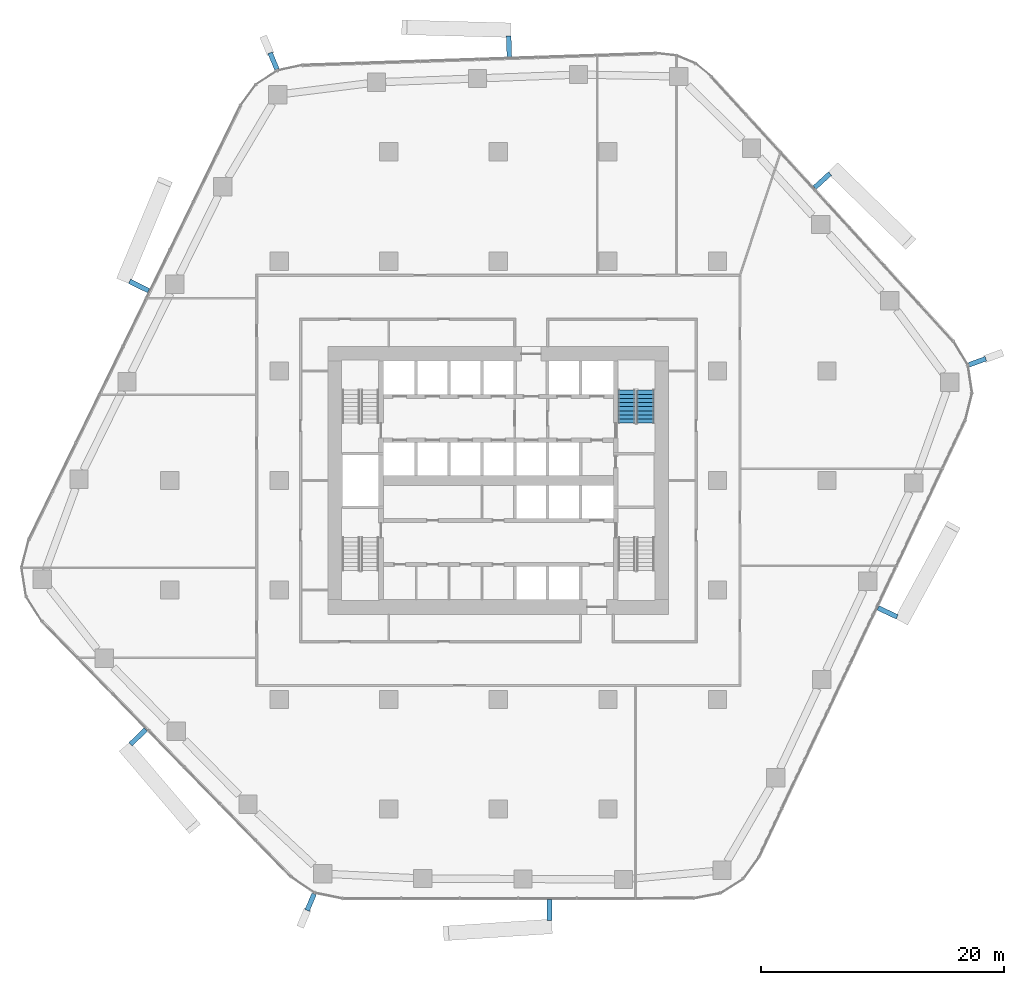
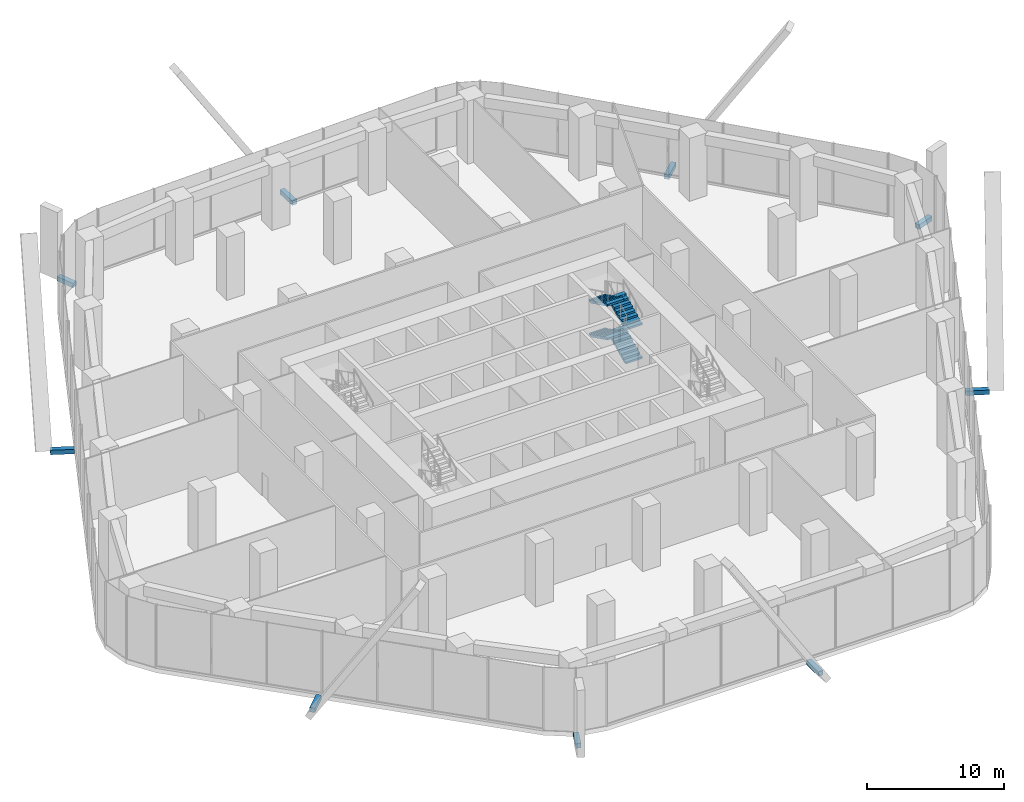
# One storey, part 14 of 19: 9 discrete accessories, 4 stair flights, 1 element without a shape of its own.
"""IFC4 building model written with IfcOpenShell, lengths in metres."""

from ifc_helpers import new_model, si_unit, direction, frame, origin, origin_2d, place, context, subcontext, project, spatial, polyline, rectangle, outline, extrude, material, layer, layer_set, type_object, element, aggregate, save


model = new_model("IFC4")

# Units and contexts
model_context = context("Model", 3, precision=1e-05, world=origin(), true_north=direction((0.0, 1.0)))
body_context = subcontext(model_context, "Body", "Model", "MODEL_VIEW")
ifc_project = project(units=[si_unit("LENGTHUNIT", "METRE"), si_unit("AREAUNIT", "SQUARE_METRE"), si_unit("VOLUMEUNIT", "CUBIC_METRE"), si_unit("PLANEANGLEUNIT", "RADIAN"), si_unit("MASSUNIT", "GRAM", prefix="KILO")], contexts=[model_context])

# Site, building, storey
site_placement = place(None, origin())
site = spatial("IfcSite", under=ifc_project, at=site_placement, CompositionType="ELEMENT")
building_placement = place(site_placement, origin())
building = spatial("IfcBuilding", under=site, at=building_placement, Name="Dongbaek Canopy Tower", CompositionType="ELEMENT")
storey_placement = place(building_placement, frame((0.0, 0.0, 38.0)))
storey = spatial("IfcBuildingStorey", under=building, at=storey_placement, Name="L05", CompositionType="ELEMENT", Elevation=38.0)

# Stair, stair flights
ifc_material_1 = material(Name="Concrete C40/50", Category="concrete")
stair_type = type_object("IfcStairType", Name="Core exit stair", PredefinedType="HALF_TURN_STAIR", material=ifc_material_1)
stair_placement = place(storey_placement, origin())
stair = element("IfcStair", 1, at=stair_placement, inside=storey, type_object=stair_type, Name="L05 exit stair A", PredefinedType="HALF_TURN_STAIR")
ifc_material_2 = material(Name="Concrete C40/50", Category="concrete")
ifc_layer = layer(ifc_material_2, 0.14990234375)
ifc_layer_set = layer_set([ifc_layer], Name="Core stair flight 150 waist")
stair_flight_type = type_object("IfcStairFlightType", Name="Core stair flight 150 waist", PredefinedType="STRAIGHT", material=ifc_layer_set)
stair_flight_1_placement = place(storey_placement, frame((12.10009765625, 4.699951171875, 0.0), z_axis=(0.0, 0.0, 1.0), x_axis=(0.0, 1.0, 0.0)))
stair_flight_1 = element("IfcStairFlight", 2, at=stair_flight_1_placement, type_object=stair_flight_type, Name="ST-A flight 1", NumberOfRisers=9, NumberOfTreads=8, PredefinedType="STRAIGHT", RiserHeight=0.166666667, TreadLength=0.34, context=body_context, shape_type="SweptSolid", body=[
    extrude(outline(polyline([(0.0, 0.0), (0.0, 0.166748046875), (0.340087890625, 0.166748046875), (0.340087890625, 0.333251953125), (0.679931640625, 0.333251953125), (0.679931640625, 0.5), (1.02001953125, 0.5), (1.02001953125, 0.666748046875), (1.360107421875, 0.666748046875), (1.360107421875, 0.833251953125), (1.699951171875, 0.833251953125), (1.699951171875, 1.0), (2.0400390625, 1.0), (2.0400390625, 1.166748046875), (2.3798828125, 1.166748046875), (2.3798828125, 1.333251953125), (2.719970703125, 1.333251953125), (2.719970703125, 1.5), (2.719970703125, 1.16650390625), (0.340576171875, 0.0), (0.0, 0.0)])), frame((0.0, 0.699951171875, 0.0), z_axis=(0.0, -1.0, 0.0), x_axis=(1.0, 0.0, 0.0)), (0.0, 0.0, 1.0), 1.39990234375),
])
stair_flight_2_placement = place(storey_placement, frame((10.550048828125, 7.419921875, 1.5), z_axis=(0.0, 0.0, 1.0), x_axis=(0.0, -1.0, 0.0)))
stair_flight_2 = element("IfcStairFlight", 3, at=stair_flight_2_placement, type_object=stair_flight_type, Name="ST-A flight 2", NumberOfRisers=9, NumberOfTreads=8, PredefinedType="STRAIGHT", RiserHeight=0.166666667, TreadLength=0.34, context=body_context, shape_type="SweptSolid", body=[
    extrude(outline(polyline([(0.0, 0.0), (0.0, 0.166748046875), (0.340087890625, 0.166748046875), (0.340087890625, 0.333251953125), (0.679931640625, 0.333251953125), (0.679931640625, 0.5), (1.02001953125, 0.5), (1.02001953125, 0.666748046875), (1.360107421875, 0.666748046875), (1.360107421875, 0.833251953125), (1.699951171875, 0.833251953125), (1.699951171875, 1.0), (2.0400390625, 1.0), (2.0400390625, 1.166748046875), (2.3798828125, 1.166748046875), (2.3798828125, 1.333251953125), (2.719970703125, 1.333251953125), (2.719970703125, 1.5), (2.719970703125, 1.16650390625), (0.340576171875, 0.0), (0.0, 0.0)])), frame((0.0, 0.699951171875, 0.0), z_axis=(0.0, -1.0, 0.0), x_axis=(1.0, 0.0, 0.0)), (0.0, 0.0, 1.0), 1.39990234375),
])
stair_flight_3_placement = place(storey_placement, frame((12.10009765625, 4.699951171875, 3.0), z_axis=(0.0, 0.0, 1.0), x_axis=(0.0, 1.0, 0.0)))
stair_flight_3 = element("IfcStairFlight", 4, at=stair_flight_3_placement, type_object=stair_flight_type, Name="ST-A flight 3", NumberOfRisers=9, NumberOfTreads=8, PredefinedType="STRAIGHT", RiserHeight=0.166666667, TreadLength=0.34, context=body_context, shape_type="SweptSolid", body=[
    extrude(outline(polyline([(0.0, 0.0), (0.0, 0.166748046875), (0.340087890625, 0.166748046875), (0.340087890625, 0.333251953125), (0.679931640625, 0.333251953125), (0.679931640625, 0.5), (1.02001953125, 0.5), (1.02001953125, 0.666748046875), (1.360107421875, 0.666748046875), (1.360107421875, 0.833251953125), (1.699951171875, 0.833251953125), (1.699951171875, 1.0), (2.0400390625, 1.0), (2.0400390625, 1.166748046875), (2.3798828125, 1.166748046875), (2.3798828125, 1.333251953125), (2.719970703125, 1.333251953125), (2.719970703125, 1.5), (2.719970703125, 1.16650390625), (0.340576171875, 0.0), (0.0, 0.0)])), frame((0.0, 0.699951171875, 0.0), z_axis=(0.0, -1.0, 0.0), x_axis=(1.0, 0.0, 0.0)), (0.0, 0.0, 1.0), 1.39990234375),
])
stair_flight_4_placement = place(storey_placement, frame((10.550048828125, 7.419921875, 4.5), z_axis=(0.0, 0.0, 1.0), x_axis=(0.0, -1.0, 0.0)))
stair_flight_4 = element("IfcStairFlight", 5, at=stair_flight_4_placement, type_object=stair_flight_type, Name="ST-A flight 4", NumberOfRisers=9, NumberOfTreads=8, PredefinedType="STRAIGHT", RiserHeight=0.166666667, TreadLength=0.34, context=body_context, shape_type="SweptSolid", body=[
    extrude(outline(polyline([(0.0, 0.0), (0.0, 0.166748046875), (0.340087890625, 0.166748046875), (0.340087890625, 0.333251953125), (0.679931640625, 0.333251953125), (0.679931640625, 0.5), (1.02001953125, 0.5), (1.02001953125, 0.666748046875), (1.360107421875, 0.666748046875), (1.360107421875, 0.833251953125), (1.699951171875, 0.833251953125), (1.699951171875, 1.0), (2.0400390625, 1.0), (2.0400390625, 1.166748046875), (2.3798828125, 1.166748046875), (2.3798828125, 1.333251953125), (2.719970703125, 1.333251953125), (2.719970703125, 1.5), (2.719970703125, 1.16650390625), (0.340576171875, 0.0), (0.0, 0.0)])), frame((0.0, 0.699951171875, 0.0), z_axis=(0.0, -1.0, 0.0), x_axis=(1.0, 0.0, 0.0)), (0.0, 0.0, 1.0), 1.39990234375),
])
aggregate(stair, [stair_flight_1, stair_flight_2, stair_flight_3, stair_flight_4])

# Discrete accessories
ifc_material_3 = material(Name="Galvanised steel S355 bracket", Category="steel")
discrete_accessory_type = type_object("IfcDiscreteAccessoryType", Name="Crease fin bracket BR3 400", PredefinedType="BRACKET", material=ifc_material_3)
discrete_accessory_1_placement = place(storey_placement, frame((31.98388671875, -10.843994140625, -0.39990234375), z_axis=(0.0, 0.0, 1.0), x_axis=(0.904233161267, -0.427039096647, 0.0)))
element("IfcDiscreteAccessory", 6, at=discrete_accessory_1_placement, inside=storey, type_object=discrete_accessory_type, Name="Crease fin bracket L05 F5", PredefinedType="BRACKET", context=body_context, shape_type="SweptSolid", body=[
    extrude(rectangle(XDim=1.742431640625, YDim=0.39990234375, at=origin_2d()), origin(), (0.0, 0.0, 1.0), 0.39990234375),
])
discrete_accessory_2_placement = place(storey_placement, frame((26.62255859375, 24.63671875, -0.39990234375), z_axis=(0.0, 0.0, 1.0), x_axis=(0.738141033581, 0.674646436694, 0.0)))
element("IfcDiscreteAccessory", 7, at=discrete_accessory_2_placement, inside=storey, type_object=discrete_accessory_type, Name="Crease fin bracket L05 F0", PredefinedType="BRACKET", context=body_context, shape_type="SweptSolid", body=[
    extrude(rectangle(XDim=1.713623046875, YDim=0.39990234375, at=origin_2d()), origin(), (0.0, 0.0, 1.0), 0.39990234375),
])
discrete_accessory_3_placement = place(storey_placement, frame((0.875, 35.662841796875, -0.39990234375), z_axis=(0.0, 0.0, 1.0), x_axis=(-0.033441253657, 0.99944068486, 0.0)))
element("IfcDiscreteAccessory", 8, at=discrete_accessory_3_placement, inside=storey, type_object=discrete_accessory_type, Name="Crease fin bracket L05 F1", PredefinedType="BRACKET", context=body_context, shape_type="SweptSolid", body=[
    extrude(rectangle(XDim=1.718994140625, YDim=0.39990234375, at=origin_2d()), origin(), (0.0, 0.0, 1.0), 0.39990234375),
])
discrete_accessory_4_placement = place(storey_placement, frame((-29.520263671875, 15.973876953125, -0.39990234375), z_axis=(0.0, 0.0, 1.0), x_axis=(-0.898815468082, 0.438327222903, 0.0)))
element("IfcDiscreteAccessory", 9, at=discrete_accessory_4_placement, inside=storey, type_object=discrete_accessory_type, Name="Crease fin bracket L05 F2", PredefinedType="BRACKET", context=body_context, shape_type="SweptSolid", body=[
    extrude(rectangle(XDim=1.757080078125, YDim=0.39990234375, at=origin_2d()), origin(), (0.0, 0.0, 1.0), 0.39990234375),
])
discrete_accessory_5_placement = place(storey_placement, frame((-29.601806640625, -21.07958984375, -0.39990234375), z_axis=(0.0, 0.0, 1.0), x_axis=(-0.715920641967, -0.698181662897, 0.0)))
element("IfcDiscreteAccessory", 10, at=discrete_accessory_5_placement, inside=storey, type_object=discrete_accessory_type, Name="Crease fin bracket L05 F3", PredefinedType="BRACKET", context=body_context, shape_type="SweptSolid", body=[
    extrude(rectangle(XDim=1.75, YDim=0.39990234375, at=origin_2d()), origin(), (0.0, 0.0, 1.0), 0.39990234375),
])
discrete_accessory_6_placement = place(storey_placement, frame((4.19287109375, -35.3115234375, -0.39990234375), z_axis=(0.0, 0.0, 1.0), x_axis=(0.000523598752, -0.999999862922, 0.0)))
element("IfcDiscreteAccessory", 11, at=discrete_accessory_6_placement, inside=storey, type_object=discrete_accessory_type, Name="Crease fin bracket L05 F4", PredefinedType="BRACKET", context=body_context, shape_type="SweptSolid", body=[
    extrude(rectangle(XDim=1.740234375, YDim=0.39990234375, at=origin_2d()), origin(), (0.0, 0.0, 1.0), 0.39990234375),
])
for number, where, z_axis, x_axis, name in (
    (12, (39.364990234375, 9.75, -0.39990234375), (0.0, 0.0, 1.0), (0.94053797847, 0.339688550079, 0.0), "Corner fin bracket L05 K0"),
    (13, (-18.4755859375, 34.455810546875, -0.39990234375), (0.0, 0.0, 1.0), (-0.38448705976, 0.923130381299, 0.0), "Corner fin bracket L05 K2"),
    (14, (-15.42529296875, -34.656982421875, -0.39990234375), (0.0, 0.0, 1.0), (-0.388229845925, -0.921562578848, 0.0), "Corner fin bracket L05 K4"),
):
    element("IfcDiscreteAccessory", number, at=place(storey_placement, frame(where, z_axis=z_axis, x_axis=x_axis)), inside=storey, type_object=discrete_accessory_type, Name=name, PredefinedType="BRACKET", context=body_context, shape_type="SweptSolid", body=[
        extrude(rectangle(XDim=1.469970703125, YDim=0.39990234375, at=origin_2d()), origin(), (0.0, 0.0, 1.0), 0.39990234375),
    ])

save(model, "model.ifc")
